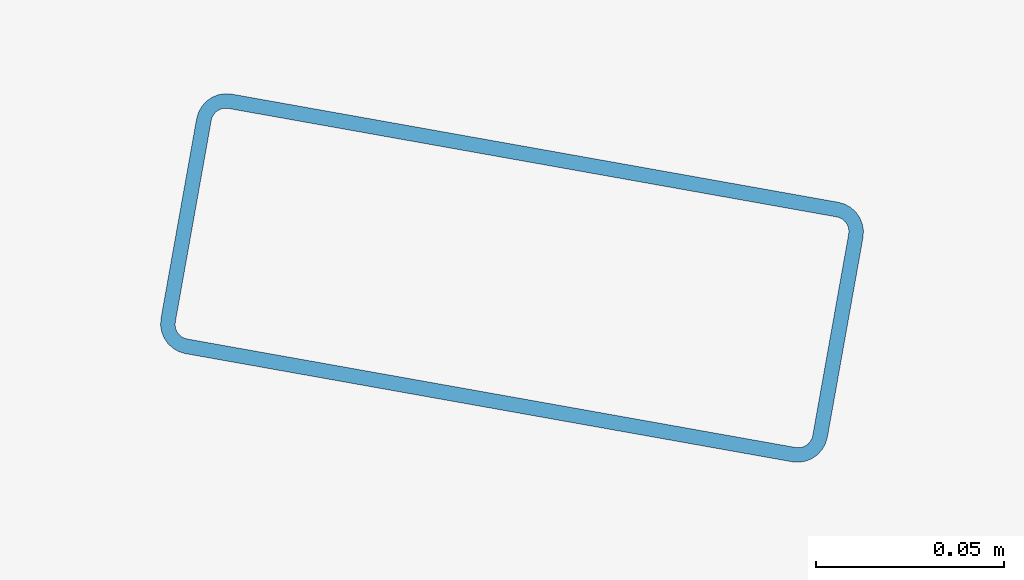
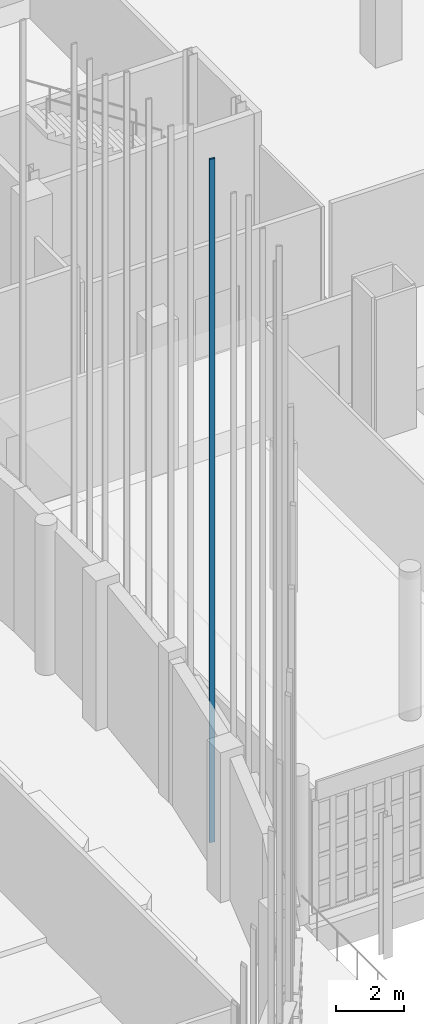
# One storey, part 113 of 372: 1 member.
"""IFC4 building model written with IfcOpenShell, lengths in metres."""

from ifc_helpers import new_model, si_unit, direction, frame, origin, origin_2d, place, context, subcontext, project, spatial, hollow_rectangle, extrude, material, material_profile, profile_set, type_object, element, save


model = new_model("IFC4")

# Units and contexts
model_context = context("Model", 3, precision=1e-05, world=origin(), true_north=direction((0.0, 1.0)))
body_context = subcontext(model_context, "Body", "Model", "MODEL_VIEW")
ifc_project = project(units=[si_unit("LENGTHUNIT", "METRE"), si_unit("AREAUNIT", "SQUARE_METRE"), si_unit("VOLUMEUNIT", "CUBIC_METRE"), si_unit("PLANEANGLEUNIT", "RADIAN"), si_unit("MASSUNIT", "GRAM", prefix="KILO")], contexts=[model_context])

# Site, building, storey
site_placement = place(None, origin())
site = spatial("IfcSite", under=ifc_project, at=site_placement, CompositionType="ELEMENT")
building_placement = place(site_placement, origin())
building = spatial("IfcBuilding", under=site, at=building_placement, Name="Kaelora Sail Theatre", CompositionType="ELEMENT")
storey_placement = place(building_placement, origin())
storey = spatial("IfcBuildingStorey", under=building, at=storey_placement, Name="L00", CompositionType="ELEMENT", Elevation=0.0)

# Member
ifc_material = material(Name="Anodised aluminium 6063-T6", Category="aluminium")
ifc_material_profile = material_profile(ifc_material, hollow_rectangle(XDim=0.070068359375, YDim=0.179931640625, WallThickness=0.00390625, InnerFilletRadius=0.00390625, OuterFilletRadius=0.008056640625, at=origin_2d()), Name="ALU-MULL 70x180x4")
ifc_profile_set = profile_set([ifc_material_profile], Name="Anodised aluminium 6063-T6")
member_type = type_object("IfcMemberType", Name="ARC-MEM-PST-160", PredefinedType="POST", material=ifc_profile_set)
member_placement = place(storey_placement, frame((58.003173828125, 43.44873046875, 0.0), z_axis=(0.0, 0.0, 1.0), x_axis=(-0.17553855164, -0.984472557712, 0.0)))
element("IfcMember", 1, at=member_placement, inside=storey, type_object=member_type, Name="Main Theatre Sail Drum solar louvre vertical support post C4-2", PredefinedType="POST", context=body_context, shape_type="SweptSolid", body=[
    extrude(hollow_rectangle(XDim=0.070068359375, YDim=0.179931640625, WallThickness=0.00390625, InnerFilletRadius=0.00390625, OuterFilletRadius=0.008056640625, at=origin_2d()), origin(), (0.0, 0.0, 1.0), 24.617919921875),
])

save(model, "model.ifc")
